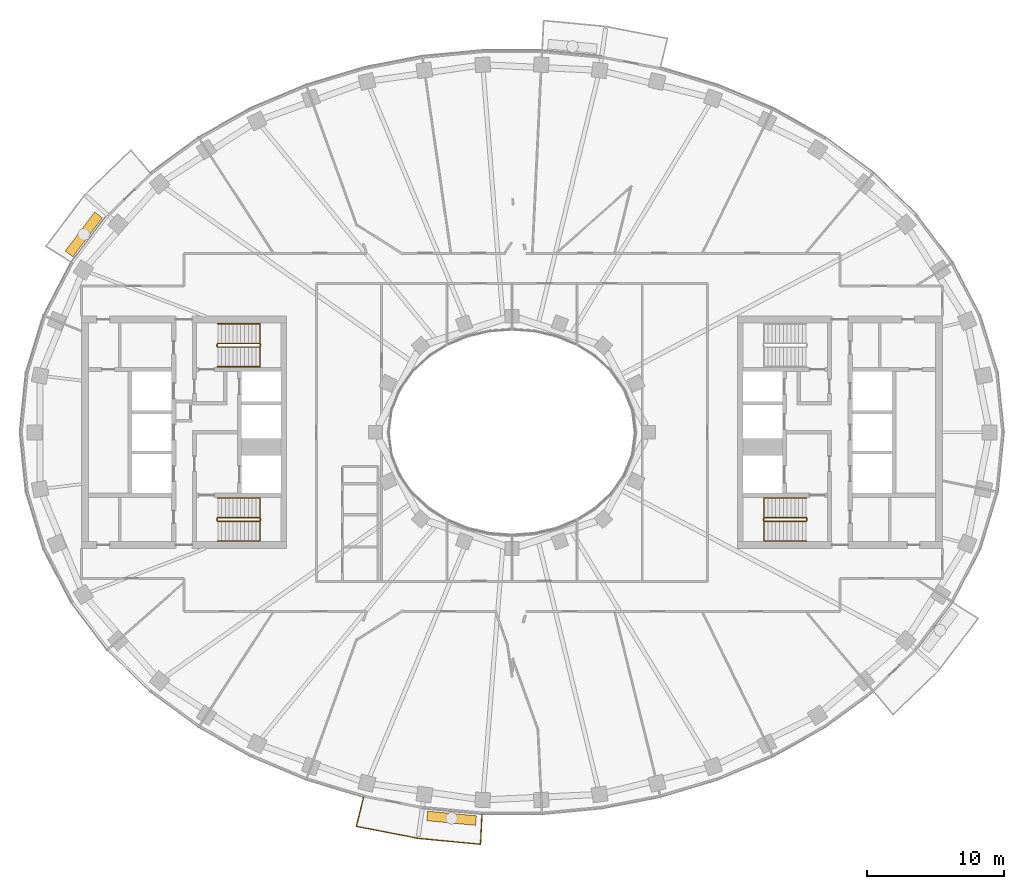
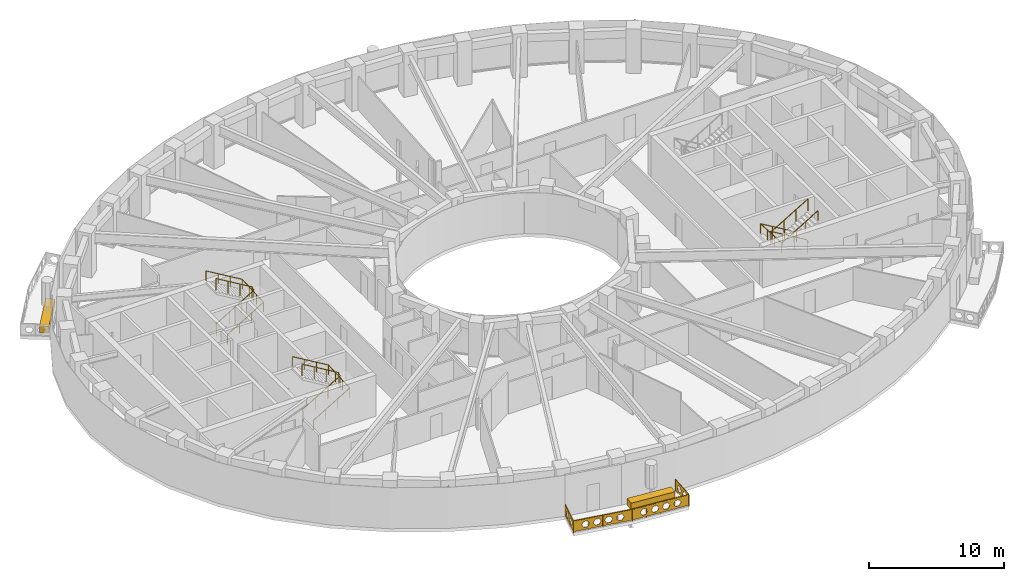
# One storey, part 14 of 16: 7 railings, 2 coverings.
"""IFC4 building model written with IfcOpenShell, lengths in metres."""

from ifc_helpers import new_model, si_unit, direction, frame, origin, origin_2d, place, context, subcontext, project, spatial, polyline, rectangle, outline, extrude, material, type_object, element, save


model = new_model("IFC4")

# Units and contexts
model_context = context("Model", 3, precision=1e-05, world=origin(), true_north=direction((0.0, 1.0)))
body_context = subcontext(model_context, "Body", "Model", "MODEL_VIEW")
ifc_project = project(units=[si_unit("LENGTHUNIT", "METRE"), si_unit("AREAUNIT", "SQUARE_METRE"), si_unit("VOLUMEUNIT", "CUBIC_METRE"), si_unit("PLANEANGLEUNIT", "RADIAN"), si_unit("MASSUNIT", "GRAM", prefix="KILO")], contexts=[model_context])

# Site, building, storey
site_placement = place(None, origin())
site = spatial("IfcSite", under=ifc_project, at=site_placement, CompositionType="ELEMENT")
building_placement = place(site_placement, origin())
building = spatial("IfcBuilding", under=site, at=building_placement, Name="Noorbagh Ring Tower", CompositionType="ELEMENT")
storey_placement = place(building_placement, frame((0.0, 0.0, 237.5)))
storey = spatial("IfcBuildingStorey", under=building, at=storey_placement, Name="L49", CompositionType="ELEMENT", Elevation=237.5)

# Railings
ifc_material_1 = material(Name="Stainless steel", Category="steel")
railing_type_1 = type_object("IfcRailingType", Name="CORE-STAIR-GUARD", PredefinedType="GUARDRAIL", material=ifc_material_1)
railing_1_placement = place(storey_placement, frame((-21.580078125, 6.300048828125, 0.0)))
element("IfcRailing", 1, at=railing_1_placement, inside=storey, type_object=railing_type_1, Name="L49 ST1 stair guard", PredefinedType="GUARDRAIL", context=body_context, shape_type="SweptSolid", body=[
    extrude(rectangle(XDim=0.048095703125, YDim=0.048095703125, at=origin_2d()), frame((0.0, 0.0, 1.076171875), z_axis=(0.0, 1.0, 0.0), x_axis=(-1.0, 0.0, 0.0)), (0.0, 0.0, 1.0), 0.14990234375),
    extrude(rectangle(XDim=0.048095703125, YDim=0.048095703125, at=origin_2d()), frame((0.0, 0.14990234375, 1.076171875), z_axis=(0.188775798145, -0.754182335027, 0.628945707965), x_axis=(0.970072785993, 0.242814311512, 0.0)), (0.0, 0.0, 1.0), 0.26513671875),
    extrude(rectangle(XDim=0.048095703125, YDim=0.048095703125, at=origin_2d()), frame((0.050048828125, -0.050048828125, 1.24267578125), z_axis=(0.859308565015, 0.0, 0.511457515432), x_axis=(0.0, 1.0, 0.0)), (0.0, 0.0, 1.0), 3.58447265625),
    extrude(rectangle(XDim=0.048095703125, YDim=0.048095703125, at=origin_2d()), frame((3.130126953125, -0.050048828125, 3.076171875), z_axis=(0.707106781187, 0.707106781187, 0.0), x_axis=(-0.707106781187, 0.707106781187, 0.0)), (0.0, 0.0, 1.0), 0.07080078125),
    extrude(rectangle(XDim=0.048095703125, YDim=0.048095703125, at=origin_2d()), frame((3.18017578125, 0.0, 3.076171875), z_axis=(0.0, 1.0, 0.0), x_axis=(-1.0, 0.0, 0.0)), (0.0, 0.0, 1.0), 0.14990234375),
    extrude(rectangle(XDim=0.048095703125, YDim=0.048095703125, at=origin_2d()), frame((3.18017578125, 0.14990234375, 3.076171875), z_axis=(-0.27628659633, 0.27628659633, 0.920506074601), x_axis=(-0.707106781187, -0.707106781187, 0.0)), (0.0, 0.0, 1.0), 0.18115234375),
    extrude(rectangle(XDim=0.048095703125, YDim=0.048095703125, at=origin_2d()), frame((3.130126953125, 0.199951171875, 3.24267578125), z_axis=(-0.859308565015, 0.0, 0.511457515432), x_axis=(0.0, -1.0, 0.0)), (0.0, 0.0, 1.0), 3.58447265625),
    extrude(rectangle(XDim=0.0419921875, YDim=0.0419921875, at=origin_2d()), origin(), (0.0, 0.0, 1.0), 1.052001953125),
    extrude(rectangle(XDim=0.0419921875, YDim=0.0419921875, at=origin_2d()), frame((1.07666015625, -0.050048828125, 0.77783203125)), (0.0, 0.0, 1.0), 1.052001953125),
    extrude(rectangle(XDim=0.0419921875, YDim=0.0419921875, at=origin_2d()), frame((2.103515625, -0.050048828125, 1.388916015625)), (0.0, 0.0, 1.0), 1.052001953125),
    extrude(rectangle(XDim=0.0419921875, YDim=0.0419921875, at=origin_2d()), frame((3.130126953125, -0.050048828125, 2.0)), (0.0, 0.0, 1.0), 1.052001953125),
    extrude(rectangle(XDim=0.0419921875, YDim=0.0419921875, at=origin_2d()), frame((3.130126953125, 0.199951171875, 2.166748046875)), (0.0, 0.0, 1.0), 1.052001953125),
    extrude(rectangle(XDim=0.0419921875, YDim=0.0419921875, at=origin_2d()), frame((2.103515625, 0.199951171875, 2.77783203125)), (0.0, 0.0, 1.0), 1.052001953125),
    extrude(rectangle(XDim=0.0419921875, YDim=0.0419921875, at=origin_2d()), frame((1.07666015625, 0.199951171875, 3.388916015625)), (0.0, 0.0, 1.0), 1.052001953125),
    extrude(rectangle(XDim=0.0419921875, YDim=0.0419921875, at=origin_2d()), frame((0.050048828125, 0.199951171875, 4.0)), (0.0, 0.0, 1.0), 1.052001953125),
])
railing_2_placement = place(storey_placement, frame((-21.580078125, -6.449951171875, 0.0)))
element("IfcRailing", 2, at=railing_2_placement, inside=storey, type_object=railing_type_1, Name="L49 ST2 stair guard", PredefinedType="GUARDRAIL", context=body_context, shape_type="SweptSolid", body=[
    extrude(rectangle(XDim=0.048095703125, YDim=0.048095703125, at=origin_2d()), frame((0.0, 0.0, 1.076171875), z_axis=(0.0, 1.0, 0.0), x_axis=(-1.0, 0.0, 0.0)), (0.0, 0.0, 1.0), 0.14990234375),
    extrude(rectangle(XDim=0.048095703125, YDim=0.048095703125, at=origin_2d()), frame((0.0, 0.14990234375, 1.076171875), z_axis=(0.188775798145, -0.754182335027, 0.628945707965), x_axis=(0.970072785993, 0.242814311512, 0.0)), (0.0, 0.0, 1.0), 0.26513671875),
    extrude(rectangle(XDim=0.048095703125, YDim=0.048095703125, at=origin_2d()), frame((0.050048828125, -0.050048828125, 1.24267578125), z_axis=(0.859308565015, 0.0, 0.511457515432), x_axis=(0.0, 1.0, 0.0)), (0.0, 0.0, 1.0), 3.58447265625),
    extrude(rectangle(XDim=0.048095703125, YDim=0.048095703125, at=origin_2d()), frame((3.130126953125, -0.050048828125, 3.076171875), z_axis=(0.707106781187, 0.707106781187, 0.0), x_axis=(-0.707106781187, 0.707106781187, 0.0)), (0.0, 0.0, 1.0), 0.07080078125),
    extrude(rectangle(XDim=0.048095703125, YDim=0.048095703125, at=origin_2d()), frame((3.18017578125, 0.0, 3.076171875), z_axis=(0.0, 1.0, 0.0), x_axis=(-1.0, 0.0, 0.0)), (0.0, 0.0, 1.0), 0.14990234375),
    extrude(rectangle(XDim=0.048095703125, YDim=0.048095703125, at=origin_2d()), frame((3.18017578125, 0.14990234375, 3.076171875), z_axis=(-0.27628659633, 0.27628659633, 0.920506074601), x_axis=(-0.707106781187, -0.707106781187, 0.0)), (0.0, 0.0, 1.0), 0.18115234375),
    extrude(rectangle(XDim=0.048095703125, YDim=0.048095703125, at=origin_2d()), frame((3.130126953125, 0.199951171875, 3.24267578125), z_axis=(-0.859308565015, 0.0, 0.511457515432), x_axis=(0.0, -1.0, 0.0)), (0.0, 0.0, 1.0), 3.58447265625),
    extrude(rectangle(XDim=0.0419921875, YDim=0.0419921875, at=origin_2d()), origin(), (0.0, 0.0, 1.0), 1.052001953125),
    extrude(rectangle(XDim=0.0419921875, YDim=0.0419921875, at=origin_2d()), frame((1.07666015625, -0.050048828125, 0.77783203125)), (0.0, 0.0, 1.0), 1.052001953125),
    extrude(rectangle(XDim=0.0419921875, YDim=0.0419921875, at=origin_2d()), frame((2.103515625, -0.050048828125, 1.388916015625)), (0.0, 0.0, 1.0), 1.052001953125),
    extrude(rectangle(XDim=0.0419921875, YDim=0.0419921875, at=origin_2d()), frame((3.130126953125, -0.050048828125, 2.0)), (0.0, 0.0, 1.0), 1.052001953125),
    extrude(rectangle(XDim=0.0419921875, YDim=0.0419921875, at=origin_2d()), frame((3.130126953125, 0.199951171875, 2.166748046875)), (0.0, 0.0, 1.0), 1.052001953125),
    extrude(rectangle(XDim=0.0419921875, YDim=0.0419921875, at=origin_2d()), frame((2.103515625, 0.199951171875, 2.77783203125)), (0.0, 0.0, 1.0), 1.052001953125),
    extrude(rectangle(XDim=0.0419921875, YDim=0.0419921875, at=origin_2d()), frame((1.07666015625, 0.199951171875, 3.388916015625)), (0.0, 0.0, 1.0), 1.052001953125),
    extrude(rectangle(XDim=0.0419921875, YDim=0.0419921875, at=origin_2d()), frame((0.050048828125, 0.199951171875, 4.0)), (0.0, 0.0, 1.0), 1.052001953125),
])
railing_3_placement = place(storey_placement, frame((21.580078125, -6.300048828125, 0.0)))
element("IfcRailing", 3, at=railing_3_placement, inside=storey, type_object=railing_type_1, Name="L49 ST4 stair guard", PredefinedType="GUARDRAIL", context=body_context, shape_type="SweptSolid", body=[
    extrude(rectangle(XDim=0.048095703125, YDim=0.048095703125, at=origin_2d()), frame((0.0, 0.0, 1.076171875), z_axis=(0.0, -1.0, 0.0), x_axis=(1.0, 0.0, 0.0)), (0.0, 0.0, 1.0), 0.14990234375),
    extrude(rectangle(XDim=0.048095703125, YDim=0.048095703125, at=origin_2d()), frame((0.0, -0.14990234375, 1.076171875), z_axis=(-0.188775798145, 0.754182335027, 0.628945707965), x_axis=(-0.970072785993, -0.242814311512, 0.0)), (0.0, 0.0, 1.0), 0.26513671875),
    extrude(rectangle(XDim=0.048095703125, YDim=0.048095703125, at=origin_2d()), frame((-0.050048828125, 0.050048828125, 1.24267578125), z_axis=(-0.859308565015, 0.0, 0.511457515432), x_axis=(0.0, -1.0, 0.0)), (0.0, 0.0, 1.0), 3.58447265625),
    extrude(rectangle(XDim=0.048095703125, YDim=0.048095703125, at=origin_2d()), frame((-3.130126953125, 0.050048828125, 3.076171875), z_axis=(-0.707106781187, -0.707106781187, 0.0), x_axis=(0.707106781187, -0.707106781187, 0.0)), (0.0, 0.0, 1.0), 0.07080078125),
    extrude(rectangle(XDim=0.048095703125, YDim=0.048095703125, at=origin_2d()), frame((-3.18017578125, 0.0, 3.076171875), z_axis=(0.0, -1.0, 0.0), x_axis=(1.0, 0.0, 0.0)), (0.0, 0.0, 1.0), 0.14990234375),
    extrude(rectangle(XDim=0.048095703125, YDim=0.048095703125, at=origin_2d()), frame((-3.18017578125, -0.14990234375, 3.076171875), z_axis=(0.27628659633, -0.27628659633, 0.920506074601), x_axis=(0.707106781187, 0.707106781187, 0.0)), (0.0, 0.0, 1.0), 0.18115234375),
    extrude(rectangle(XDim=0.048095703125, YDim=0.048095703125, at=origin_2d()), frame((-3.130126953125, -0.199951171875, 3.24267578125), z_axis=(0.859308565015, 0.0, 0.511457515432), x_axis=(0.0, 1.0, 0.0)), (0.0, 0.0, 1.0), 3.58447265625),
    extrude(rectangle(XDim=0.0419921875, YDim=0.0419921875, at=origin_2d()), origin(), (0.0, 0.0, 1.0), 1.052001953125),
    extrude(rectangle(XDim=0.0419921875, YDim=0.0419921875, at=origin_2d()), frame((-1.07666015625, 0.050048828125, 0.77783203125)), (0.0, 0.0, 1.0), 1.052001953125),
    extrude(rectangle(XDim=0.0419921875, YDim=0.0419921875, at=origin_2d()), frame((-2.103515625, 0.050048828125, 1.388916015625)), (0.0, 0.0, 1.0), 1.052001953125),
    extrude(rectangle(XDim=0.0419921875, YDim=0.0419921875, at=origin_2d()), frame((-3.130126953125, 0.050048828125, 2.0)), (0.0, 0.0, 1.0), 1.052001953125),
    extrude(rectangle(XDim=0.0419921875, YDim=0.0419921875, at=origin_2d()), frame((-3.130126953125, -0.199951171875, 2.166748046875)), (0.0, 0.0, 1.0), 1.052001953125),
    extrude(rectangle(XDim=0.0419921875, YDim=0.0419921875, at=origin_2d()), frame((-2.103515625, -0.199951171875, 2.77783203125)), (0.0, 0.0, 1.0), 1.052001953125),
    extrude(rectangle(XDim=0.0419921875, YDim=0.0419921875, at=origin_2d()), frame((-1.07666015625, -0.199951171875, 3.388916015625)), (0.0, 0.0, 1.0), 1.052001953125),
    extrude(rectangle(XDim=0.0419921875, YDim=0.0419921875, at=origin_2d()), frame((-0.050048828125, -0.199951171875, 4.0)), (0.0, 0.0, 1.0), 1.052001953125),
])
ifc_material_2 = material(Name="Stainless steel", Category="steel")
railing_type_2 = type_object("IfcRailingType", Name="CORE-STAIR-HANDRAIL", PredefinedType="HANDRAIL", material=ifc_material_2)
railing_4_placement = place(storey_placement, frame((-21.530029296875, 4.800048828125, 0.166748046875)))
element("IfcRailing", 4, at=railing_4_placement, inside=storey, type_object=railing_type_2, Name="L49 ST1 stair handrail", PredefinedType="HANDRAIL", context=body_context, shape_type="SweptSolid", body=[
    extrude(rectangle(XDim=0.048095703125, YDim=0.048095703125, at=origin_2d()), frame((0.0, 0.0, 0.8759765625), z_axis=(0.859308565015, 0.0, 0.511457515432), x_axis=(0.0, 1.0, 0.0)), (0.0, 0.0, 1.0), 3.58447265625),
    extrude(rectangle(XDim=0.048095703125, YDim=0.048095703125, at=origin_2d()), frame((3.080078125, 0.0, 2.708984375), z_axis=(0.0, 0.998601747152, 0.052863509014), x_axis=(-1.0, 0.0, 0.0)), (0.0, 0.0, 1.0), 3.154296875),
    extrude(rectangle(XDim=0.048095703125, YDim=0.048095703125, at=origin_2d()), frame((3.080078125, 3.14990234375, 2.8759765625), z_axis=(-0.859308565015, 0.0, 0.511457515432), x_axis=(0.0, -1.0, 0.0)), (0.0, 0.0, 1.0), 3.58447265625),
    extrude(rectangle(XDim=0.0419921875, YDim=0.0419921875, at=origin_2d()), origin(), (0.0, 0.0, 1.0), 0.851806640625),
    extrude(rectangle(XDim=0.0419921875, YDim=0.0419921875, at=origin_2d()), frame((1.026611328125, 0.0, 0.611083984375)), (0.0, 0.0, 1.0), 0.851806640625),
    extrude(rectangle(XDim=0.0419921875, YDim=0.0419921875, at=origin_2d()), frame((2.053466796875, 0.0, 1.22216796875)), (0.0, 0.0, 1.0), 0.851806640625),
    extrude(rectangle(XDim=0.0419921875, YDim=0.0419921875, at=origin_2d()), frame((3.080078125, 0.0, 1.833251953125)), (0.0, 0.0, 1.0), 0.851806640625),
    extrude(rectangle(XDim=0.0419921875, YDim=0.0419921875, at=origin_2d()), frame((3.080078125, 1.050048828125, 1.888916015625)), (0.0, 0.0, 1.0), 0.851806640625),
    extrude(rectangle(XDim=0.0419921875, YDim=0.0419921875, at=origin_2d()), frame((3.080078125, 2.099853515625, 1.9443359375)), (0.0, 0.0, 1.0), 0.851806640625),
    extrude(rectangle(XDim=0.0419921875, YDim=0.0419921875, at=origin_2d()), frame((3.080078125, 3.14990234375, 2.0)), (0.0, 0.0, 1.0), 0.851806640625),
    extrude(rectangle(XDim=0.0419921875, YDim=0.0419921875, at=origin_2d()), frame((2.053466796875, 3.14990234375, 2.611083984375)), (0.0, 0.0, 1.0), 0.851806640625),
    extrude(rectangle(XDim=0.0419921875, YDim=0.0419921875, at=origin_2d()), frame((1.026611328125, 3.14990234375, 3.22216796875)), (0.0, 0.0, 1.0), 0.851806640625),
    extrude(rectangle(XDim=0.0419921875, YDim=0.0419921875, at=origin_2d()), frame((0.0, 3.14990234375, 3.833251953125)), (0.0, 0.0, 1.0), 0.851806640625),
])
railing_5_placement = place(storey_placement, frame((-21.530029296875, -7.949951171875, 0.166748046875)))
element("IfcRailing", 5, at=railing_5_placement, inside=storey, type_object=railing_type_2, Name="L49 ST2 stair handrail", PredefinedType="HANDRAIL", context=body_context, shape_type="SweptSolid", body=[
    extrude(rectangle(XDim=0.048095703125, YDim=0.048095703125, at=origin_2d()), frame((0.0, 0.0, 0.8759765625), z_axis=(0.859308565015, 0.0, 0.511457515432), x_axis=(0.0, 1.0, 0.0)), (0.0, 0.0, 1.0), 3.58447265625),
    extrude(rectangle(XDim=0.048095703125, YDim=0.048095703125, at=origin_2d()), frame((3.080078125, 0.0, 2.708984375), z_axis=(0.0, 0.998601747152, 0.052863509014), x_axis=(-1.0, 0.0, 0.0)), (0.0, 0.0, 1.0), 3.154296875),
    extrude(rectangle(XDim=0.048095703125, YDim=0.048095703125, at=origin_2d()), frame((3.080078125, 3.14990234375, 2.8759765625), z_axis=(-0.859308565015, 0.0, 0.511457515432), x_axis=(0.0, -1.0, 0.0)), (0.0, 0.0, 1.0), 3.58447265625),
    extrude(rectangle(XDim=0.0419921875, YDim=0.0419921875, at=origin_2d()), origin(), (0.0, 0.0, 1.0), 0.851806640625),
    extrude(rectangle(XDim=0.0419921875, YDim=0.0419921875, at=origin_2d()), frame((1.026611328125, 0.0, 0.611083984375)), (0.0, 0.0, 1.0), 0.851806640625),
    extrude(rectangle(XDim=0.0419921875, YDim=0.0419921875, at=origin_2d()), frame((2.053466796875, 0.0, 1.22216796875)), (0.0, 0.0, 1.0), 0.851806640625),
    extrude(rectangle(XDim=0.0419921875, YDim=0.0419921875, at=origin_2d()), frame((3.080078125, 0.0, 1.833251953125)), (0.0, 0.0, 1.0), 0.851806640625),
    extrude(rectangle(XDim=0.0419921875, YDim=0.0419921875, at=origin_2d()), frame((3.080078125, 1.050048828125, 1.888916015625)), (0.0, 0.0, 1.0), 0.851806640625),
    extrude(rectangle(XDim=0.0419921875, YDim=0.0419921875, at=origin_2d()), frame((3.080078125, 2.099853515625, 1.9443359375)), (0.0, 0.0, 1.0), 0.851806640625),
    extrude(rectangle(XDim=0.0419921875, YDim=0.0419921875, at=origin_2d()), frame((3.080078125, 3.14990234375, 2.0)), (0.0, 0.0, 1.0), 0.851806640625),
    extrude(rectangle(XDim=0.0419921875, YDim=0.0419921875, at=origin_2d()), frame((2.053466796875, 3.14990234375, 2.611083984375)), (0.0, 0.0, 1.0), 0.851806640625),
    extrude(rectangle(XDim=0.0419921875, YDim=0.0419921875, at=origin_2d()), frame((1.026611328125, 3.14990234375, 3.22216796875)), (0.0, 0.0, 1.0), 0.851806640625),
    extrude(rectangle(XDim=0.0419921875, YDim=0.0419921875, at=origin_2d()), frame((0.0, 3.14990234375, 3.833251953125)), (0.0, 0.0, 1.0), 0.851806640625),
])
railing_6_placement = place(storey_placement, frame((21.530029296875, -4.800048828125, 0.166748046875)))
element("IfcRailing", 6, at=railing_6_placement, inside=storey, type_object=railing_type_2, Name="L49 ST4 stair handrail", PredefinedType="HANDRAIL", context=body_context, shape_type="SweptSolid", body=[
    extrude(rectangle(XDim=0.048095703125, YDim=0.048095703125, at=origin_2d()), frame((0.0, 0.0, 0.8759765625), z_axis=(-0.859308565015, 0.0, 0.511457515432), x_axis=(0.0, -1.0, 0.0)), (0.0, 0.0, 1.0), 3.58447265625),
    extrude(rectangle(XDim=0.048095703125, YDim=0.048095703125, at=origin_2d()), frame((-3.080078125, 0.0, 2.708984375), z_axis=(0.0, -0.998601747152, 0.052863509014), x_axis=(1.0, 0.0, 0.0)), (0.0, 0.0, 1.0), 3.154296875),
    extrude(rectangle(XDim=0.048095703125, YDim=0.048095703125, at=origin_2d()), frame((-3.080078125, -3.14990234375, 2.8759765625), z_axis=(0.859308565015, 0.0, 0.511457515432), x_axis=(0.0, 1.0, 0.0)), (0.0, 0.0, 1.0), 3.58447265625),
    extrude(rectangle(XDim=0.0419921875, YDim=0.0419921875, at=origin_2d()), origin(), (0.0, 0.0, 1.0), 0.851806640625),
    extrude(rectangle(XDim=0.0419921875, YDim=0.0419921875, at=origin_2d()), frame((-1.026611328125, 0.0, 0.611083984375)), (0.0, 0.0, 1.0), 0.851806640625),
    extrude(rectangle(XDim=0.0419921875, YDim=0.0419921875, at=origin_2d()), frame((-2.053466796875, 0.0, 1.22216796875)), (0.0, 0.0, 1.0), 0.851806640625),
    extrude(rectangle(XDim=0.0419921875, YDim=0.0419921875, at=origin_2d()), frame((-3.080078125, 0.0, 1.833251953125)), (0.0, 0.0, 1.0), 0.851806640625),
    extrude(rectangle(XDim=0.0419921875, YDim=0.0419921875, at=origin_2d()), frame((-3.080078125, -1.050048828125, 1.888916015625)), (0.0, 0.0, 1.0), 0.851806640625),
    extrude(rectangle(XDim=0.0419921875, YDim=0.0419921875, at=origin_2d()), frame((-3.080078125, -2.099853515625, 1.9443359375)), (0.0, 0.0, 1.0), 0.851806640625),
    extrude(rectangle(XDim=0.0419921875, YDim=0.0419921875, at=origin_2d()), frame((-3.080078125, -3.14990234375, 2.0)), (0.0, 0.0, 1.0), 0.851806640625),
    extrude(rectangle(XDim=0.0419921875, YDim=0.0419921875, at=origin_2d()), frame((-2.053466796875, -3.14990234375, 2.611083984375)), (0.0, 0.0, 1.0), 0.851806640625),
    extrude(rectangle(XDim=0.0419921875, YDim=0.0419921875, at=origin_2d()), frame((-1.026611328125, -3.14990234375, 3.22216796875)), (0.0, 0.0, 1.0), 0.851806640625),
    extrude(rectangle(XDim=0.0419921875, YDim=0.0419921875, at=origin_2d()), frame((0.0, -3.14990234375, 3.833251953125)), (0.0, 0.0, 1.0), 0.851806640625),
])
ifc_material_3 = material(Name="Steel S275 black powder-coated", Category="steel")
railing_type_3 = type_object("IfcRailingType", Name="ENV-GUARD", PredefinedType="GUARDRAIL", material=ifc_material_3)
railing_7_placement = place(storey_placement, frame((-10.865234375, -26.6943359375, 0.0)))
element("IfcRailing", 7, at=railing_7_placement, inside=storey, type_object=railing_type_3, Name="Balcony guard BS03", PredefinedType="GUARDRAIL", context=body_context, shape_type="SweptSolid", body=[
    extrude(rectangle(XDim=0.048095703125, YDim=0.048095703125, at=origin_2d()), frame((0.0, 0.0, 1.076171875), z_axis=(-0.239848558412, -0.970810315679, 0.0), x_axis=(0.970810315679, -0.239848558412, 0.0)), (0.0, 0.0, 1.0), 2.20263671875),
    extrude(rectangle(XDim=0.048095703125, YDim=0.048095703125, at=origin_2d()), frame((-0.5283203125, -2.138427734375, 1.076171875), z_axis=(0.981625049064, -0.1908199755, 0.0), x_axis=(0.1908199755, 0.981625049064, 0.0)), (0.0, 0.0, 1.0), 4.603271484375),
    extrude(rectangle(XDim=0.048095703125, YDim=0.048095703125, at=origin_2d()), frame((3.990478515625, -3.016845703125, 1.076171875), z_axis=(0.995477555764, -0.094997031379, 0.0), x_axis=(0.094997031379, 0.995477555764, 0.0)), (0.0, 0.0, 1.0), 4.59765625),
    extrude(rectangle(XDim=0.048095703125, YDim=0.048095703125, at=origin_2d()), frame((8.5673828125, -3.45361328125, 1.076171875), z_axis=(0.047554616162, 0.998868639252, 0.0), x_axis=(-0.998868639252, 0.047554616162, 0.0)), (0.0, 0.0, 1.0), 2.202392578125),
    extrude(rectangle(XDim=0.0419921875, YDim=0.0419921875, at=origin_2d()), origin(), (0.0, 0.0, 1.0), 1.052001953125),
    extrude(rectangle(XDim=0.0419921875, YDim=0.0419921875, at=origin_2d()), frame((-0.26416015625, -1.0693359375, 0.0)), (0.0, 0.0, 1.0), 1.052001953125),
    extrude(rectangle(XDim=0.0419921875, YDim=0.0419921875, at=origin_2d()), frame((-0.5283203125, -2.138427734375, 0.0)), (0.0, 0.0, 1.0), 1.052001953125),
    extrude(rectangle(XDim=0.0419921875, YDim=0.0419921875, at=origin_2d()), frame((0.601318359375, -2.35791015625, 0.0)), (0.0, 0.0, 1.0), 1.052001953125),
    extrude(rectangle(XDim=0.0419921875, YDim=0.0419921875, at=origin_2d()), frame((1.73095703125, -2.57763671875, 0.0)), (0.0, 0.0, 1.0), 1.052001953125),
    extrude(rectangle(XDim=0.0419921875, YDim=0.0419921875, at=origin_2d()), frame((2.86083984375, -2.79736328125, 0.0)), (0.0, 0.0, 1.0), 1.052001953125),
    extrude(rectangle(XDim=0.0419921875, YDim=0.0419921875, at=origin_2d()), frame((3.990478515625, -3.016845703125, 0.0)), (0.0, 0.0, 1.0), 1.052001953125),
    extrude(rectangle(XDim=0.0419921875, YDim=0.0419921875, at=origin_2d()), frame((5.134765625, -3.1259765625, 0.0)), (0.0, 0.0, 1.0), 1.052001953125),
    extrude(rectangle(XDim=0.0419921875, YDim=0.0419921875, at=origin_2d()), frame((6.27880859375, -3.2353515625, 0.0)), (0.0, 0.0, 1.0), 1.052001953125),
    extrude(rectangle(XDim=0.0419921875, YDim=0.0419921875, at=origin_2d()), frame((7.423095703125, -3.344482421875, 0.0)), (0.0, 0.0, 1.0), 1.052001953125),
    extrude(rectangle(XDim=0.0419921875, YDim=0.0419921875, at=origin_2d()), frame((8.5673828125, -3.45361328125, 0.0)), (0.0, 0.0, 1.0), 1.052001953125),
    extrude(rectangle(XDim=0.0419921875, YDim=0.0419921875, at=origin_2d()), frame((8.61962890625, -2.353515625, 0.0)), (0.0, 0.0, 1.0), 1.052001953125),
    extrude(rectangle(XDim=0.0419921875, YDim=0.0419921875, at=origin_2d()), frame((8.672119140625, -1.253662109375, 0.0)), (0.0, 0.0, 1.0), 1.052001953125),
    extrude(outline(polyline([(0.0, 0.10009765625), (2.20263671875, 0.10009765625), (2.20263671875, 1.031982421875), (0.0, 1.031982421875), (0.0, 0.10009765625)]), holes=[polyline([(0.96142578125, 0.56591796875), (0.806396484375, 0.83447265625), (0.496337890625, 0.83447265625), (0.34130859375, 0.56591796875), (0.496337890625, 0.297607421875), (0.806396484375, 0.297607421875), (0.96142578125, 0.56591796875)]), polyline([(1.861328125, 0.56591796875), (1.706298828125, 0.83447265625), (1.396240234375, 0.83447265625), (1.241455078125, 0.56591796875), (1.396240234375, 0.297607421875), (1.706298828125, 0.297607421875), (1.861328125, 0.56591796875)])]), frame((0.009765625, -0.00244140625, 0.0), z_axis=(-0.970810315679, 0.239848558412, 0.0), x_axis=(-0.239848558412, -0.970810315679, 0.0)), (0.0, 0.0, 1.0), 0.02001953125),
    extrude(outline(polyline([(0.0, 0.10009765625), (4.603271484375, 0.10009765625), (4.603271484375, 1.031982421875), (0.0, 1.031982421875), (0.0, 0.10009765625)]), holes=[polyline([(1.26171875, 0.56591796875), (1.106689453125, 0.83447265625), (0.796630859375, 0.83447265625), (0.6416015625, 0.56591796875), (0.796630859375, 0.297607421875), (1.106689453125, 0.297607421875), (1.26171875, 0.56591796875)]), polyline([(2.16162109375, 0.56591796875), (2.006591796875, 0.83447265625), (1.69677734375, 0.83447265625), (1.541748046875, 0.56591796875), (1.69677734375, 0.297607421875), (2.006591796875, 0.297607421875), (2.16162109375, 0.56591796875)]), polyline([(3.061767578125, 0.56591796875), (2.90673828125, 0.83447265625), (2.5966796875, 0.83447265625), (2.441650390625, 0.56591796875), (2.5966796875, 0.297607421875), (2.90673828125, 0.297607421875), (3.061767578125, 0.56591796875)]), polyline([(3.961669921875, 0.56591796875), (3.806640625, 0.83447265625), (3.49658203125, 0.83447265625), (3.341796875, 0.56591796875), (3.49658203125, 0.297607421875), (3.806640625, 0.297607421875), (3.961669921875, 0.56591796875)])]), frame((-0.5263671875, -2.128662109375, 0.0), z_axis=(-0.1908199755, -0.981625049064, 0.0), x_axis=(0.981625049064, -0.1908199755, 0.0)), (0.0, 0.0, 1.0), 0.02001953125),
    extrude(outline(polyline([(0.0, 0.10009765625), (4.59765625, 0.10009765625), (4.59765625, 1.031982421875), (0.0, 1.031982421875), (0.0, 0.10009765625)]), holes=[polyline([(1.2587890625, 0.56591796875), (1.103759765625, 0.83447265625), (0.7939453125, 0.83447265625), (0.638916015625, 0.56591796875), (0.7939453125, 0.297607421875), (1.103759765625, 0.297607421875), (1.2587890625, 0.56591796875)]), polyline([(2.158935546875, 0.56591796875), (2.00390625, 0.83447265625), (1.69384765625, 0.83447265625), (1.538818359375, 0.56591796875), (1.69384765625, 0.297607421875), (2.00390625, 0.297607421875), (2.158935546875, 0.56591796875)]), polyline([(3.058837890625, 0.56591796875), (2.90380859375, 0.83447265625), (2.59375, 0.83447265625), (2.43896484375, 0.56591796875), (2.59375, 0.297607421875), (2.90380859375, 0.297607421875), (3.058837890625, 0.56591796875)]), polyline([(3.958740234375, 0.56591796875), (3.803955078125, 0.83447265625), (3.493896484375, 0.83447265625), (3.3388671875, 0.56591796875), (3.493896484375, 0.297607421875), (3.803955078125, 0.297607421875), (3.958740234375, 0.56591796875)])]), frame((3.991455078125, -3.0068359375, 0.0), z_axis=(-0.094997031379, -0.995477555764, 0.0), x_axis=(0.995477555764, -0.094997031379, 0.0)), (0.0, 0.0, 1.0), 0.02001953125),
    extrude(outline(polyline([(0.0, 0.10009765625), (2.202392578125, 0.10009765625), (2.202392578125, 1.031982421875), (0.0, 1.031982421875), (0.0, 0.10009765625)]), holes=[polyline([(0.961181640625, 0.56591796875), (0.80615234375, 0.83447265625), (0.496337890625, 0.83447265625), (0.34130859375, 0.56591796875), (0.496337890625, 0.297607421875), (0.80615234375, 0.297607421875), (0.961181640625, 0.56591796875)]), polyline([(1.861328125, 0.56591796875), (1.706298828125, 0.83447265625), (1.396240234375, 0.83447265625), (1.2412109375, 0.56591796875), (1.396240234375, 0.297607421875), (1.706298828125, 0.297607421875), (1.861328125, 0.56591796875)])]), frame((8.557373046875, -3.453125, 0.0), z_axis=(0.998868639252, -0.047554616162, 0.0), x_axis=(0.047554616162, 0.998868639252, 0.0)), (0.0, 0.0, 1.0), 0.02001953125),
])

# Coverings
ifc_material_4 = material(Name="Concrete C30/37 planter with soil", Category="concrete")
covering_type = type_object("IfcCoveringType", Name="ENV-PLANTER", PredefinedType="CLADDING", material=ifc_material_4)
covering_1_placement = place(storey_placement, frame((-31.329833984375, 14.4833984375, 0.0), z_axis=(0.0, 0.0, 1.0), x_axis=(-0.604020184358, -0.796969018776, 0.0)))
element("IfcCovering", 8, at=covering_1_placement, inside=storey, type_object=covering_type, Name="PLANTER BN06", ObjectType="PLANTER", PredefinedType="CLADDING", context=body_context, shape_type="SweptSolid", body=[
    extrude(rectangle(XDim=3.583251953125, YDim=0.699951171875, at=origin_2d()), origin(), (0.0, 0.0, 1.0), 0.60009765625),
])
covering_2_placement = place(storey_placement, frame((-4.423828125, -28.2373046875, 0.0), z_axis=(0.0, 0.0, 1.0), x_axis=(0.995476497323, -0.095008122171, 0.0)))
element("IfcCovering", 9, at=covering_2_placement, inside=storey, type_object=covering_type, Name="PLANTER BS03", ObjectType="PLANTER", PredefinedType="CLADDING", context=body_context, shape_type="SweptSolid", body=[
    extrude(rectangle(XDim=3.58642578125, YDim=0.699951171875, at=origin_2d()), origin(), (0.0, 0.0, 1.0), 0.60009765625),
])

save(model, "model.ifc")
